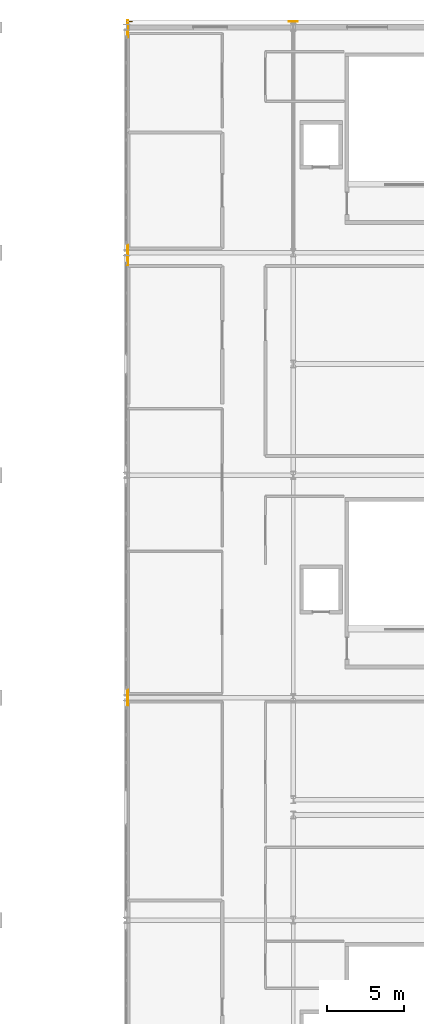
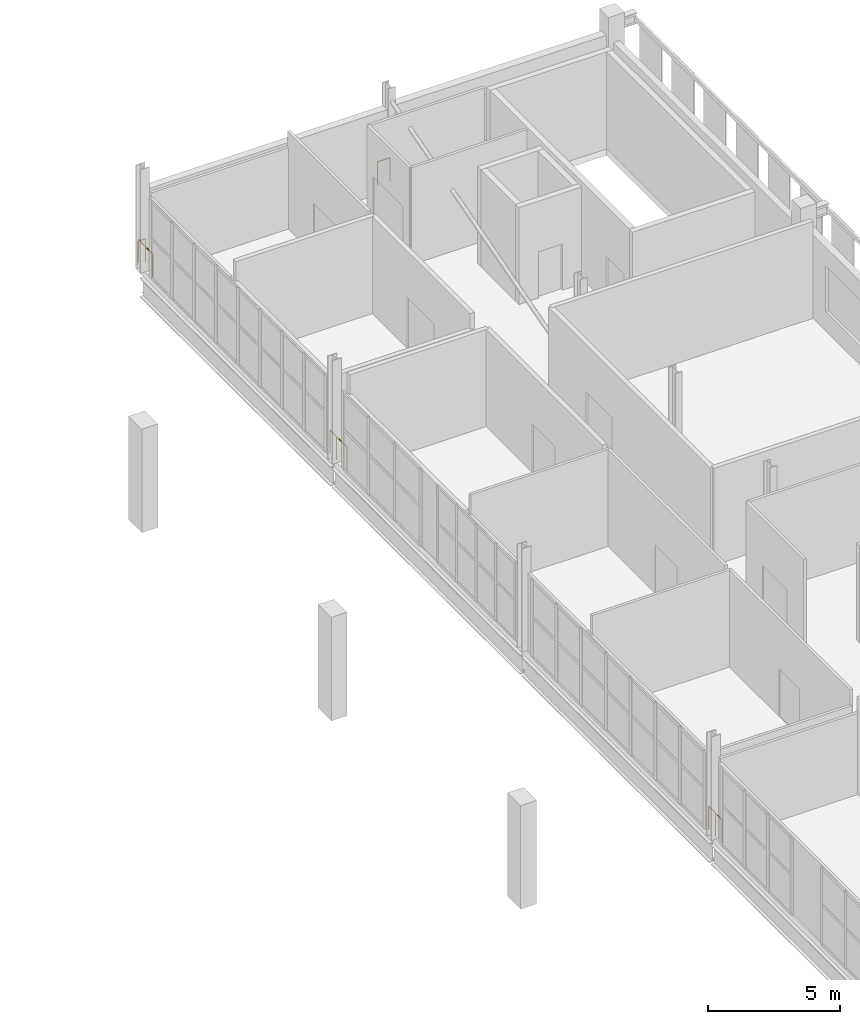
# One storey, part 49 of 51: 7 railings.
"""IFC4 building model written with IfcOpenShell, lengths in metres."""

from ifc_helpers import new_model, si_unit, direction, frame, origin, origin_2d, place, context, subcontext, project, spatial, circle, extrude, material, type_object, element, save


model = new_model("IFC4")

# Units and contexts
model_context = context("Model", 3, precision=1e-05, world=origin(), true_north=direction((0.0, 1.0)))
body_context = subcontext(model_context, "Body", "Model", "MODEL_VIEW")
ifc_project = project(units=[si_unit("LENGTHUNIT", "METRE"), si_unit("AREAUNIT", "SQUARE_METRE"), si_unit("VOLUMEUNIT", "CUBIC_METRE"), si_unit("PLANEANGLEUNIT", "RADIAN"), si_unit("MASSUNIT", "GRAM", prefix="KILO")], contexts=[model_context])

# Site, building, storey
site_placement = place(None, origin())
site = spatial("IfcSite", under=ifc_project, at=site_placement, CompositionType="ELEMENT")
building_placement = place(site_placement, origin())
building = spatial("IfcBuilding", under=site, at=building_placement, Name="Koshinbarg Plaza Stadium", CompositionType="ELEMENT")
storey_placement = place(building_placement, frame((0.0, 0.0, 24.60009765625)))
storey = spatial("IfcBuildingStorey", under=building, at=storey_placement, Name="L05", CompositionType="ELEMENT", Elevation=24.60009765625)

# Railings
ifc_material = material(Name="Toughened laminated glass and stainless steel sightline balustrade", Category="steel")
railing_type = type_object("IfcRailingType", Name="RL-BOWL-1100", PredefinedType="BALUSTRADE", material=ifc_material)
railing_1_placement = place(storey_placement, frame((197.8798828125, 82.60009765625, 0.0)))
element("IfcRailing", 1, at=railing_1_placement, inside=storey, type_object=railing_type, Name="L05 deck edge safety balustrade 0381", PredefinedType="BALUSTRADE", context=body_context, shape_type="SweptSolid", body=[
    extrude(circle(Radius=0.02392578125, at=origin_2d()), frame((0.0, 0.0, 1.076171875), z_axis=(0.0, 1.0, 0.0), x_axis=(-1.0, 0.0, 0.0)), (0.0, 0.0, 1.0), 0.5),
    extrude(circle(Radius=0.02099609375, at=origin_2d()), origin(), (0.0, 0.0, 1.0), 1.052001953125),
    extrude(circle(Radius=0.02099609375, at=origin_2d()), frame((0.0, 0.5, 0.0)), (0.0, 0.0, 1.0), 1.052001953125),
])
railing_2_placement = place(storey_placement, frame((197.8798828125, 83.10009765625, 0.0)))
element("IfcRailing", 2, at=railing_2_placement, inside=storey, type_object=railing_type, Name="L05 deck edge safety balustrade 0386", PredefinedType="BALUSTRADE", context=body_context, shape_type="SweptSolid", body=[
    extrude(circle(Radius=0.02392578125, at=origin_2d()), frame((0.0, 0.0, 1.076171875), z_axis=(0.0, 1.0, 0.0), x_axis=(-1.0, 0.0, 0.0)), (0.0, 0.0, 1.0), 0.498291015625),
    extrude(circle(Radius=0.02099609375, at=origin_2d()), origin(), (0.0, 0.0, 1.0), 1.052001953125),
    extrude(circle(Radius=0.02099609375, at=origin_2d()), frame((0.0, 0.498291015625, 0.0)), (0.0, 0.0, 1.0), 1.052001953125),
])
railing_3_placement = place(storey_placement, frame((197.8798828125, 111.10302734375, 0.0)))
element("IfcRailing", 3, at=railing_3_placement, inside=storey, type_object=railing_type, Name="L05 deck edge safety balustrade 0387", PredefinedType="BALUSTRADE", context=body_context, shape_type="SweptSolid", body=[
    extrude(circle(Radius=0.02392578125, at=origin_2d()), frame((0.0, 0.0, 1.076171875), z_axis=(0.0, 1.0, 0.0), x_axis=(-1.0, 0.0, 0.0)), (0.0, 0.0, 1.0), 0.796875),
    extrude(circle(Radius=0.02099609375, at=origin_2d()), origin(), (0.0, 0.0, 1.0), 1.052001953125),
    extrude(circle(Radius=0.02099609375, at=origin_2d()), frame((0.0, 0.796875, 0.0)), (0.0, 0.0, 1.0), 1.052001953125),
])
railing_4_placement = place(storey_placement, frame((197.8798828125, 111.89990234375, 0.0)))
element("IfcRailing", 4, at=railing_4_placement, inside=storey, type_object=railing_type, Name="L05 deck edge safety balustrade 0392", PredefinedType="BALUSTRADE", context=body_context, shape_type="SweptSolid", body=[
    extrude(circle(Radius=0.02392578125, at=origin_2d()), frame((0.0, 0.0, 1.076171875), z_axis=(0.0, 1.0, 0.0), x_axis=(-1.0, 0.0, 0.0)), (0.0, 0.0, 1.0), 0.498291015625),
    extrude(circle(Radius=0.02099609375, at=origin_2d()), origin(), (0.0, 0.0, 1.0), 1.052001953125),
    extrude(circle(Radius=0.02099609375, at=origin_2d()), frame((0.0, 0.498291015625, 0.0)), (0.0, 0.0, 1.0), 1.052001953125),
])
railing_5_placement = place(storey_placement, frame((197.8798828125, 125.860595703125, 0.0)))
element("IfcRailing", 5, at=railing_5_placement, inside=storey, type_object=railing_type, Name="L05 deck edge safety balustrade 0393", PredefinedType="BALUSTRADE", context=body_context, shape_type="SweptSolid", body=[
    extrude(circle(Radius=0.02392578125, at=origin_2d()), frame((0.0, 0.0, 1.076171875), z_axis=(0.0, 1.0, 0.0), x_axis=(-1.0, 0.0, 0.0)), (0.0, 0.0, 1.0), 1.094482421875),
    extrude(circle(Radius=0.02099609375, at=origin_2d()), origin(), (0.0, 0.0, 1.0), 1.052001953125),
    extrude(circle(Radius=0.02099609375, at=origin_2d()), frame((0.0, 1.094482421875, 0.0)), (0.0, 0.0, 1.0), 1.052001953125),
])
railing_6_placement = place(storey_placement, frame((197.800048828125, 126.875, 0.0)))
element("IfcRailing", 6, at=railing_6_placement, inside=storey, type_object=railing_type, Name="L05 deck edge safety balustrade 0394", PredefinedType="BALUSTRADE", context=body_context, shape_type="SweptSolid", body=[
    extrude(circle(Radius=0.02392578125, at=origin_2d()), frame((0.0, 0.0, 1.076171875), z_axis=(1.0, 0.0, 0.0), x_axis=(0.0, 1.0, 0.0)), (0.0, 0.0, 1.0), 0.348876953125),
    extrude(circle(Radius=0.02099609375, at=origin_2d()), origin(), (0.0, 0.0, 1.0), 1.052001953125),
    extrude(circle(Radius=0.02099609375, at=origin_2d()), frame((0.348876953125, 0.0, 0.0)), (0.0, 0.0, 1.0), 1.052001953125),
])
railing_7_placement = place(storey_placement, frame((208.326416015625, 126.875, 0.0)))
element("IfcRailing", 7, at=railing_7_placement, inside=storey, type_object=railing_type, Name="L05 deck edge safety balustrade 0395", PredefinedType="BALUSTRADE", context=body_context, shape_type="SweptSolid", body=[
    extrude(circle(Radius=0.02392578125, at=origin_2d()), frame((0.0, 0.0, 1.076171875), z_axis=(1.0, 0.0, 0.0), x_axis=(0.0, 1.0, 0.0)), (0.0, 0.0, 1.0), 0.549072265625),
    extrude(circle(Radius=0.02099609375, at=origin_2d()), origin(), (0.0, 0.0, 1.0), 1.052001953125),
    extrude(circle(Radius=0.02099609375, at=origin_2d()), frame((0.549072265625, 0.0, 0.0)), (0.0, 0.0, 1.0), 1.052001953125),
])

save(model, "model.ifc")
